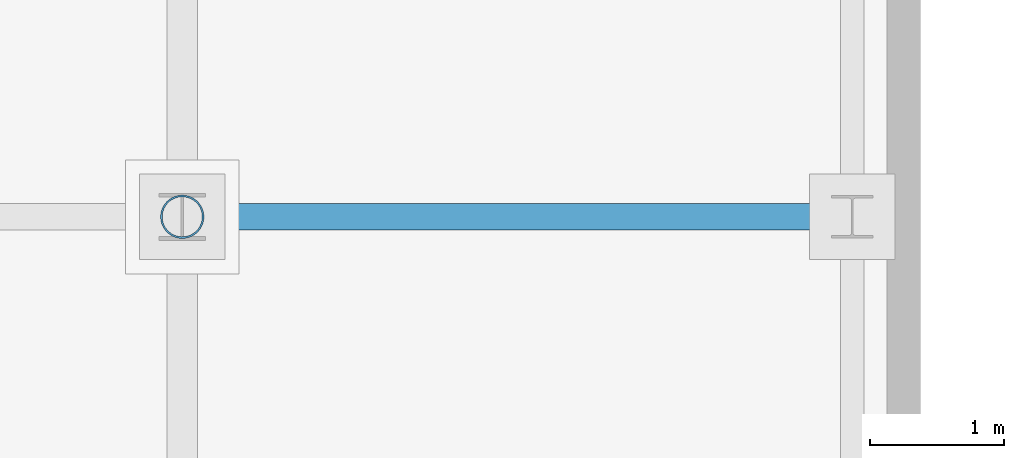
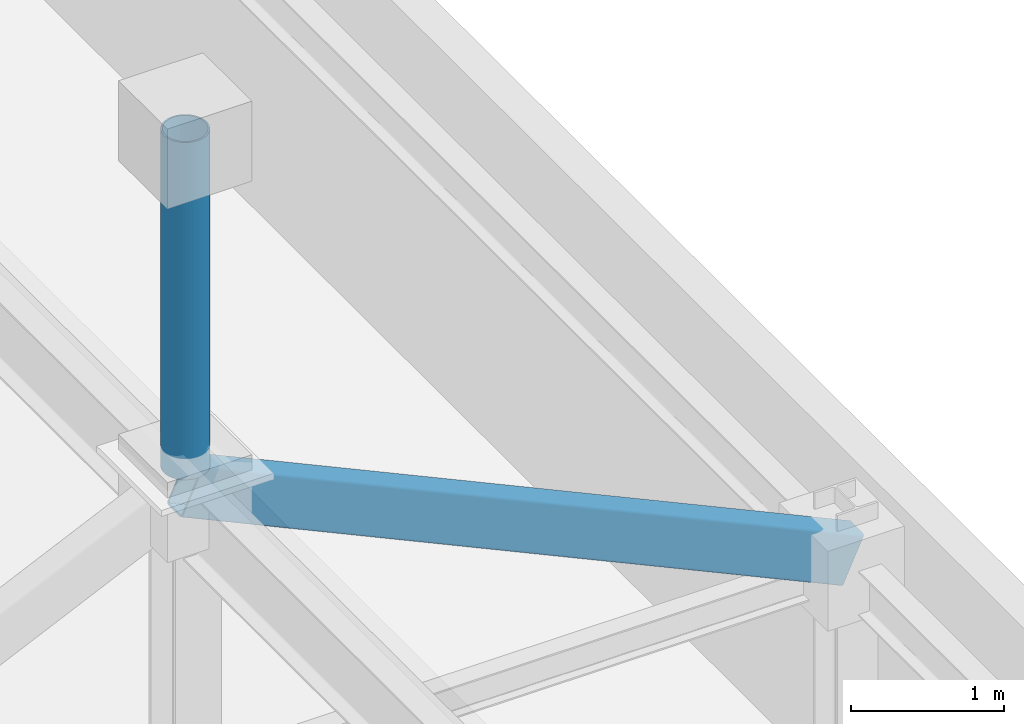
# One storey, part 5 of 9: 2 members.
"""IFC4 building model written with IfcOpenShell, lengths in metres."""

import ifcopenshell
import ifcopenshell.guid

model = None  # the IFC model being written
_history = None  # IfcOwnerHistory: only IFC2X3 demands one
_inside = {}  # id of a spatial element -> (the spatial element, [elements in it])
_under = {}  # id of a project, library or spatial element -> (it, [spatial elements below it])
_declared = {}  # id of a project -> (the project, [libraries it declares])
_typed = {}  # id of a type object -> (the type object, [elements of that type])
_made_of = {}  # id of a material, layer set ... -> (it, [elements and type objects made of it])


def new_model(schema):
    """Start an empty IFC model of exactly this schema.

    Asked for "IFC4X3", IfcOpenShell would pick the latest addendum, in which some entities
    have other attributes; the version numbers below select the first issue.
    IFC2X3 requires an IfcOwnerHistory on every rooted entity: one is made here for all.
    """
    global model, _history
    if schema == "IFC4X3":
        model = ifcopenshell.file(schema_version=(4, 3, 0, 0))
    else:
        model = ifcopenshell.file(schema=schema)
    _inside.clear()
    _under.clear()
    _declared.clear()
    _typed.clear()
    _made_of.clear()
    _history = None
    if model.schema == "IFC2X3":
        org = make("IfcOrganization", Name="unknown")
        user = make(
            "IfcPersonAndOrganization",
            ThePerson=make("IfcPerson", FamilyName="unknown"),
            TheOrganization=org,
        )
        app = make(
            "IfcApplication",
            ApplicationDeveloper=org,
            Version="unknown",
            ApplicationFullName="unknown",
            ApplicationIdentifier="unknown",
        )
        _history = make(
            "IfcOwnerHistory",
            OwningUser=user,
            OwningApplication=app,
            ChangeAction="ADDED",
            CreationDate=0,
        )
    return model


def make(cls, **values):
    """One entity of the class cls with the attributes given. An attribute that is None is left unset."""
    return model.create_entity(
        cls, **{name: value for name, value in values.items() if value is not None}
    )


def rooted(cls, **values):
    """An entity with a GlobalId (a new one), such as an element, a storey or a relation."""
    return make(cls, GlobalId=ifcopenshell.guid.new(), OwnerHistory=_history, **values)


def si_unit(unit_type, name, prefix=None):
    """IfcSIUnit, for example si_unit("LENGTHUNIT", "METRE", prefix="MILLI")."""
    return make("IfcSIUnit", UnitType=unit_type, Prefix=prefix, Name=name)


def assignment(units):
    """IfcUnitAssignment: the units of a project."""
    return None if units is None else make("IfcUnitAssignment", Units=units)


def point(xyz):
    """IfcCartesianPoint."""
    return None if xyz is None else make("IfcCartesianPoint", Coordinates=xyz)


def direction(xyz):
    """IfcDirection."""
    return None if xyz is None else make("IfcDirection", DirectionRatios=xyz)


def frame(location, z_axis=None, x_axis=None):
    """IfcAxis2Placement3D, a coordinate frame: its origin and axes. An axis left out is left unset."""
    return make(
        "IfcAxis2Placement3D",
        Location=point(location),
        Axis=direction(z_axis),
        RefDirection=direction(x_axis),
    )


def frame_2d(location, x_axis=None):
    """IfcAxis2Placement2D, a coordinate frame in the plane: its origin and x axis."""
    return make(
        "IfcAxis2Placement2D", Location=point(location), RefDirection=direction(x_axis)
    )


def origin():
    """The frame at (0, 0, 0) with its axes left unset."""
    return frame((0.0, 0.0, 0.0))


def origin_2d():
    """The frame at (0, 0) in the plane with its x axis left unset."""
    return frame_2d((0.0, 0.0))


def place(relative_to, where):
    """IfcLocalPlacement: puts the frame where relative to a parent placement (None: the world)."""
    return make(
        "IfcLocalPlacement", PlacementRelTo=relative_to, RelativePlacement=where
    )


def context(
    kind, dimensions, precision=None, world=None, true_north=None, identifier=None
):
    """IfcGeometricRepresentationContext, for example the 3D "Model" context."""
    return make(
        "IfcGeometricRepresentationContext",
        ContextIdentifier=identifier,
        ContextType=kind,
        CoordinateSpaceDimension=dimensions,
        Precision=precision,
        WorldCoordinateSystem=world,
        TrueNorth=true_north,
    )


def subcontext(parent, identifier, kind, view, scale=None):
    """IfcGeometricRepresentationSubContext, for example "Body" below "Model"."""
    return make(
        "IfcGeometricRepresentationSubContext",
        ContextIdentifier=identifier,
        ContextType=kind,
        ParentContext=parent,
        TargetScale=scale,
        TargetView=view,
    )


def project(units=None, contexts=None):
    """IfcProject with its units and contexts."""
    return rooted(
        "IfcProject",
        Name="project",
        RepresentationContexts=contexts,
        UnitsInContext=assignment(units),
    )


def spatial(cls, under=None, at=None, **own):
    """A site, building, storey or space (cls), placed at a placement, below another one or the project."""
    s = rooted(cls, ObjectPlacement=at, **own)
    if under is not None:
        _under.setdefault(under.id(), (under, []))[1].append(s)
    return s


def profile(cls, at=None, kind="AREA", **sizes):
    """A parametric profile (cls). Its sizes go by their IFC names, for example OverallWidth=200.0."""
    return make(cls, ProfileType=kind, Position=at, **sizes)


def hollow_rectangle(**sizes):
    """IfcRectangleHollowProfileDef."""
    return profile("IfcRectangleHollowProfileDef", **sizes)


def hollow_circle(**sizes):
    """IfcCircleHollowProfileDef."""
    return profile("IfcCircleHollowProfileDef", **sizes)


def extrude(swept, where, along, depth):
    """IfcExtrudedAreaSolid: the profile swept, set in the frame where, extruded along a direction by depth."""
    return make(
        "IfcExtrudedAreaSolid",
        SweptArea=swept,
        Position=where,
        ExtrudedDirection=direction(along),
        Depth=depth,
    )


def shape(context_of_items, identifier, shape_type, items):
    """IfcShapeRepresentation: the items that make up one representation, for example the "Body"."""
    return make(
        "IfcShapeRepresentation",
        ContextOfItems=context_of_items,
        RepresentationIdentifier=identifier,
        RepresentationType=shape_type,
        Items=items,
    )


def material(Name=None, Category=None):
    """IfcMaterial."""
    return make("IfcMaterial", Name=Name, Category=Category)


def material_profile(
    of_material, cross_section, Name=None, Category=None, Priority=None
):
    """IfcMaterialProfile: a cross section and its material."""
    return make(
        "IfcMaterialProfile",
        Name=Name,
        Material=of_material,
        Profile=cross_section,
        Priority=Priority,
        Category=Category,
    )


def profile_set(profiles, Name=None, composite=None):
    """IfcMaterialProfileSet."""
    return make(
        "IfcMaterialProfileSet",
        Name=Name,
        MaterialProfiles=profiles,
        CompositeProfile=composite,
    )


def made_of(thing, what):
    """Note that an element or type object is made of a material, layer set ...; save() writes the relation."""
    if what is not None:
        _made_of.setdefault(what.id(), (what, []))[1].append(thing)
    return thing


def type_object(cls, material=None, **own):
    """A type object (cls), such as IfcWallType, which elements share."""
    return made_of(rooted(cls, **own), material)


def element(
    cls,
    number,
    at=None,
    inside=None,
    cuts=None,
    type_object=None,
    material=None,
    context=None,
    identifier="Body",
    shape_type=None,
    held_by="IfcProductDefinitionShape",
    body=None,
    shapes=None,
    **own,
):
    """One element of the class cls, such as IfcWall. Its Tag is "e" and its number.

    at: its placement. inside: the storey or other place that contains it. cuts: it is an
    opening in that element (IfcRelVoidsElement). A single representation is given by context,
    identifier, shape_type and body (its items); several are given by shapes. held_by: the class
    of the entity that holds the representations. save() writes the other relations.
    """
    e = rooted(cls, Tag="e%d" % number, ObjectPlacement=at, **own)
    if body is not None:
        shapes = [shape(context, identifier, shape_type, body)]
    if shapes is not None:
        e.Representation = make(held_by, Representations=shapes)
    if inside is not None:
        _inside.setdefault(inside.id(), (inside, []))[1].append(e)
    if cuts is not None:
        rooted(
            "IfcRelVoidsElement", RelatingBuildingElement=cuts, RelatedOpeningElement=e
        )
    if type_object is not None:
        _typed.setdefault(type_object.id(), (type_object, []))[1].append(e)
    return made_of(e, material)


def aggregate(whole, parts):
    """IfcRelAggregates: a whole, such as a stair, and the parts it consists of."""
    return rooted("IfcRelAggregates", RelatingObject=whole, RelatedObjects=parts)


def save(model, path):
    """Write the relations noted so far, then the file.

    IfcRelAggregates (storeys below a building ...), IfcRelContainedInSpatialStructure (elements
    in a storey), IfcRelDefinesByType, IfcRelAssociatesMaterial and IfcRelDeclares: one each for
    every whole, place, type object, material and project.
    """
    for whole, parts in _under.values():
        aggregate(whole, parts)
    for where, things in _inside.values():
        rooted(
            "IfcRelContainedInSpatialStructure",
            RelatedElements=things,
            RelatingStructure=where,
        )
    for kind, things in _typed.values():
        rooted("IfcRelDefinesByType", RelatedObjects=things, RelatingType=kind)
    for what, things in _made_of.values():
        rooted("IfcRelAssociatesMaterial", RelatedObjects=things, RelatingMaterial=what)
    for by, libraries in _declared.values():
        rooted("IfcRelDeclares", RelatingContext=by, RelatedDefinitions=libraries)
    model.write(path)


model = new_model("IFC4")

# Units and contexts
model_context = context("Model", 3, precision=1e-05, world=origin(), true_north=direction((0.0, 1.0)))
body_context = subcontext(model_context, "Body", "Model", "MODEL_VIEW")
ifc_project = project(units=[si_unit("LENGTHUNIT", "METRE"), si_unit("AREAUNIT", "SQUARE_METRE"), si_unit("VOLUMEUNIT", "CUBIC_METRE"), si_unit("PLANEANGLEUNIT", "RADIAN"), si_unit("MASSUNIT", "GRAM", prefix="KILO")], contexts=[model_context])

# Site, building, storey
site_placement = place(None, origin())
site = spatial("IfcSite", under=ifc_project, at=site_placement, CompositionType="ELEMENT")
building_placement = place(site_placement, origin())
building = spatial("IfcBuilding", under=site, at=building_placement, Name="Cairnveth Concourse Tower", CompositionType="ELEMENT")
storey_placement = place(building_placement, frame((0.0, 0.0, 335.5)))
storey = spatial("IfcBuildingStorey", under=building, at=storey_placement, Name="RF", CompositionType="ELEMENT", Elevation=335.5)

# Members
ifc_material = material(Name="Steel C350L0 (350 MPa)", Category="steel")
ifc_material_profile_1 = material_profile(ifc_material, hollow_rectangle(XDim=0.199951171875, YDim=0.39990234375, WallThickness=0.012451171875, InnerFilletRadius=0.012939453125, OuterFilletRadius=0.02490234375, at=origin_2d()), Name="400x200x12.5RHS")
ifc_profile_set_1 = profile_set([ifc_material_profile_1], Name="Steel C350L0 (350 MPa)")
member_type_1 = type_object("IfcMemberType", Name="CROWN GABLE CHORD 400X200X12.5RHS", PredefinedType="CHORD", material=ifc_profile_set_1)
member_1_placement = place(storey_placement, frame((46.85009765625, 47.39990234375, 2.35009765625), z_axis=(-0.908503925861, 0.0, 0.417876317461), x_axis=(0.0, -1.0, 0.0)))
element("IfcMember", 1, at=member_1_placement, inside=storey, type_object=member_type_1, Name="Structural Brace GCH-WR3 RF", PredefinedType="CHORD", context=body_context, shape_type="SweptSolid", body=[
    extrude(hollow_rectangle(XDim=0.199951171875, YDim=0.39990234375, WallThickness=0.012451171875, InnerFilletRadius=0.012939453125, OuterFilletRadius=0.02490234375, at=origin_2d()), origin(), (0.0, 0.0, 1.0), 5.503662109375),
])
ifc_material_profile_2 = material_profile(ifc_material, hollow_circle(Radius=0.161865234375, WallThickness=0.0126953125, at=origin_2d()), Name="323.9x12.7CHS")
ifc_profile_set_2 = profile_set([ifc_material_profile_2], Name="Steel C350L0 (350 MPa)")
member_type_2 = type_object("IfcMemberType", Name="GOTHIC CROWN SPIRE FINIAL 323.9X12.7CHS", PredefinedType="USERDEFINED", material=ifc_profile_set_2)
member_2_placement = place(storey_placement, frame((41.85009765625, 47.39990234375, 4.800048828125), z_axis=(0.0, 0.0, 1.0), x_axis=(1.0, 0.0, 0.0)))
element("IfcMember", 2, at=member_2_placement, inside=storey, type_object=member_type_2, Name="Gothic Crown Spire Finial SL1-W2", ObjectType="FINIAL SPIRE", PredefinedType="USERDEFINED", context=body_context, shape_type="SweptSolid", body=[
    extrude(hollow_circle(Radius=0.161865234375, WallThickness=0.0126953125, at=origin_2d()), origin(), (0.0, 0.0, 1.0), 2.699951171875),
])

save(model, "model.ifc")
